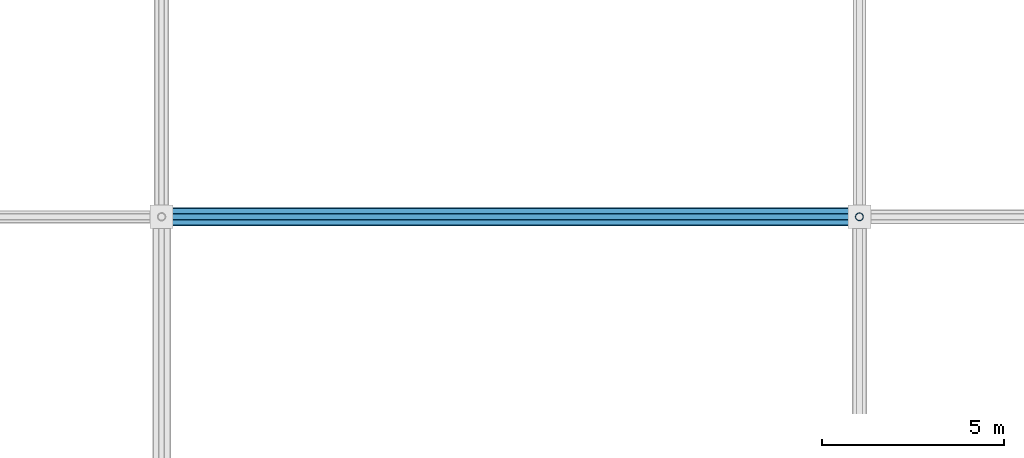
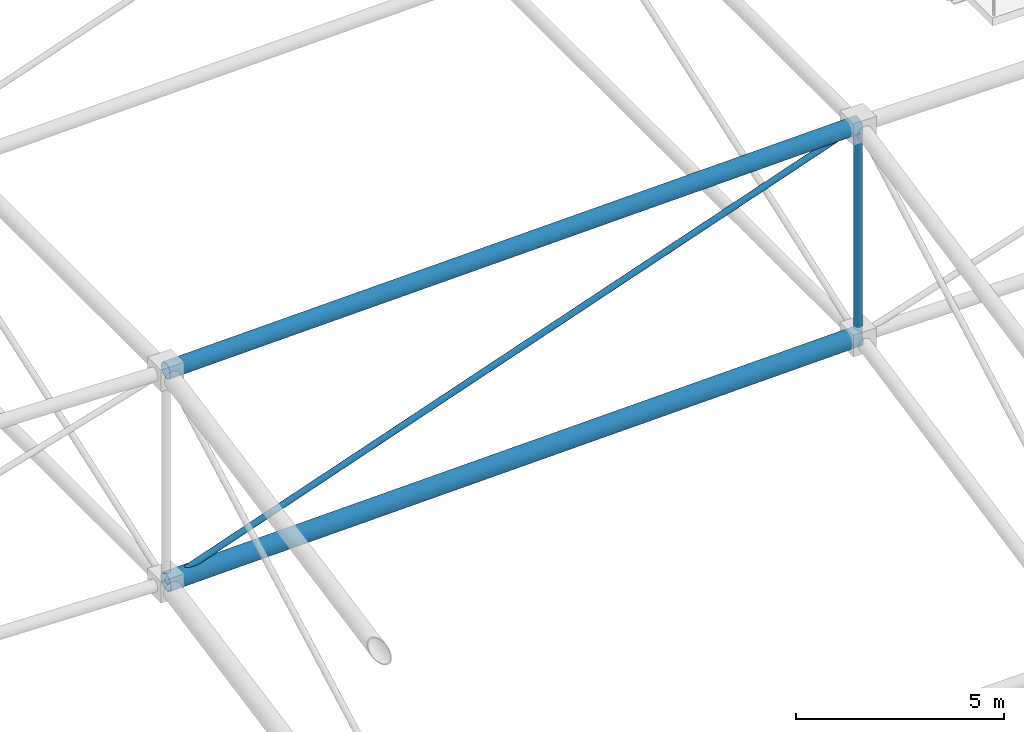
# One storey, part 61 of 193: 4 members.
"""IFC4 building model written with IfcOpenShell, lengths in metres."""

from ifc_helpers import new_model, si_unit, direction, frame, origin, origin_2d, place, context, subcontext, project, spatial, hollow_circle, extrude, material, material_profile, profile_set, type_object, element, save


model = new_model("IFC4")

# Units and contexts
model_context = context("Model", 3, precision=1e-05, world=origin(), true_north=direction((0.0, 1.0)))
body_context = subcontext(model_context, "Body", "Model", "MODEL_VIEW")
ifc_project = project(units=[si_unit("LENGTHUNIT", "METRE"), si_unit("AREAUNIT", "SQUARE_METRE"), si_unit("VOLUMEUNIT", "CUBIC_METRE"), si_unit("PLANEANGLEUNIT", "RADIAN"), si_unit("MASSUNIT", "GRAM", prefix="KILO")], contexts=[model_context])

# Site, building, storey
site_placement = place(None, origin())
site = spatial("IfcSite", under=ifc_project, at=site_placement, CompositionType="ELEMENT")
building_placement = place(site_placement, origin())
building = spatial("IfcBuilding", under=site, at=building_placement, Name="Danafjord Basin Convention Centre", CompositionType="ELEMENT")
storey_placement = place(building_placement, frame((0.0, 0.0, 11.39990234375)))
storey = spatial("IfcBuildingStorey", under=building, at=storey_placement, Name="L02", CompositionType="ELEMENT", Elevation=11.39990234375)

# Members
ifc_material = material(Name="Steel S355", Category="steel")
ifc_material_profile_1 = material_profile(ifc_material, hollow_circle(Radius=0.228515625, WallThickness=0.02001953125, at=origin_2d()), Name="CHS 457.0x20.0")
ifc_profile_set_1 = profile_set([ifc_material_profile_1], Name="Steel S355")
member_type_1 = type_object("IfcMemberType", Name="MEM-CH-CHS457", PredefinedType="CHORD", material=ifc_profile_set_1)
member_1_placement = place(storey_placement, frame((57.60009765625, 91.199951171875, 19.360595703125), z_axis=(0.999667997744, 0.0, 0.025766146147), x_axis=(0.0, 1.0, 0.0)))
element("IfcMember", 1, at=member_1_placement, inside=storey, type_object=member_type_1, Name="V1 roof truss longitudinal top chord", PredefinedType="CHORD", context=body_context, shape_type="SweptSolid", body=[
    extrude(hollow_circle(Radius=0.228515625, WallThickness=0.02001953125, at=origin_2d()), origin(), (0.0, 0.0, 1.0), 19.206298828125),
])
ifc_material_profile_2 = material_profile(ifc_material, hollow_circle(Radius=0.25390625, WallThickness=0.02490234375, at=origin_2d()), Name="CHS 508.0x25.0")
ifc_profile_set_2 = profile_set([ifc_material_profile_2], Name="Steel S355")
member_type_2 = type_object("IfcMemberType", Name="MEM-CH-CHS508", PredefinedType="CHORD", material=ifc_profile_set_2)
member_2_placement = place(storey_placement, frame((57.60009765625, 91.199951171875, 13.160400390625), z_axis=(0.999667670246, 0.0, 0.02577884917), x_axis=(0.0, 1.0, 0.0)))
element("IfcMember", 2, at=member_2_placement, inside=storey, type_object=member_type_2, Name="V1 roof truss longitudinal bottom chord", PredefinedType="CHORD", context=body_context, shape_type="SweptSolid", body=[
    extrude(hollow_circle(Radius=0.25390625, WallThickness=0.02490234375, at=origin_2d()), origin(), (0.0, 0.0, 1.0), 19.206298828125),
])
ifc_material_profile_3 = material_profile(ifc_material, hollow_circle(Radius=0.109619140625, WallThickness=0.010009765625, at=origin_2d()), Name="CHS 219.1x10.0")
ifc_profile_set_3 = profile_set([ifc_material_profile_3], Name="Steel S355")
member_type_3 = type_object("IfcMemberType", Name="MEM-ST-CHS219", PredefinedType="STRUT", material=ifc_profile_set_3)
member_3_placement = place(storey_placement, frame((76.800048828125, 91.199951171875, 13.655517578125), z_axis=(0.0, 0.0, 1.0), x_axis=(1.0, 0.0, 0.0)))
element("IfcMember", 3, at=member_3_placement, inside=storey, type_object=member_type_3, Name="V1 roof truss vertical strut", PredefinedType="STRUT", context=body_context, shape_type="SweptSolid", body=[
    extrude(hollow_circle(Radius=0.109619140625, WallThickness=0.010009765625, at=origin_2d()), origin(), (0.0, 0.0, 1.0), 6.199951171875),
])
ifc_material_profile_4 = material_profile(ifc_material, hollow_circle(Radius=0.084228515625, WallThickness=0.008056640625, at=origin_2d()), Name="CHS 168.3x8.0")
ifc_profile_set_4 = profile_set([ifc_material_profile_4], Name="Steel S355")
member_type_4 = type_object("IfcMemberType", Name="MEM-WB-CHS168", PredefinedType="MEMBER", material=ifc_profile_set_4)
member_4_placement = place(storey_placement, frame((57.60009765625, 91.199951171875, 13.160400390625), z_axis=(0.944239772286, 0.0, 0.329258640634), x_axis=(0.0, 1.0, 0.0)))
element("IfcMember", 4, at=member_4_placement, inside=storey, type_object=member_type_4, Name="V1 space-frame longitudinal web", PredefinedType="MEMBER", context=body_context, shape_type="SweptSolid", body=[
    extrude(hollow_circle(Radius=0.084228515625, WallThickness=0.008056640625, at=origin_2d()), origin(), (0.0, 0.0, 1.0), 20.333740234375),
])

save(model, "model.ifc")
